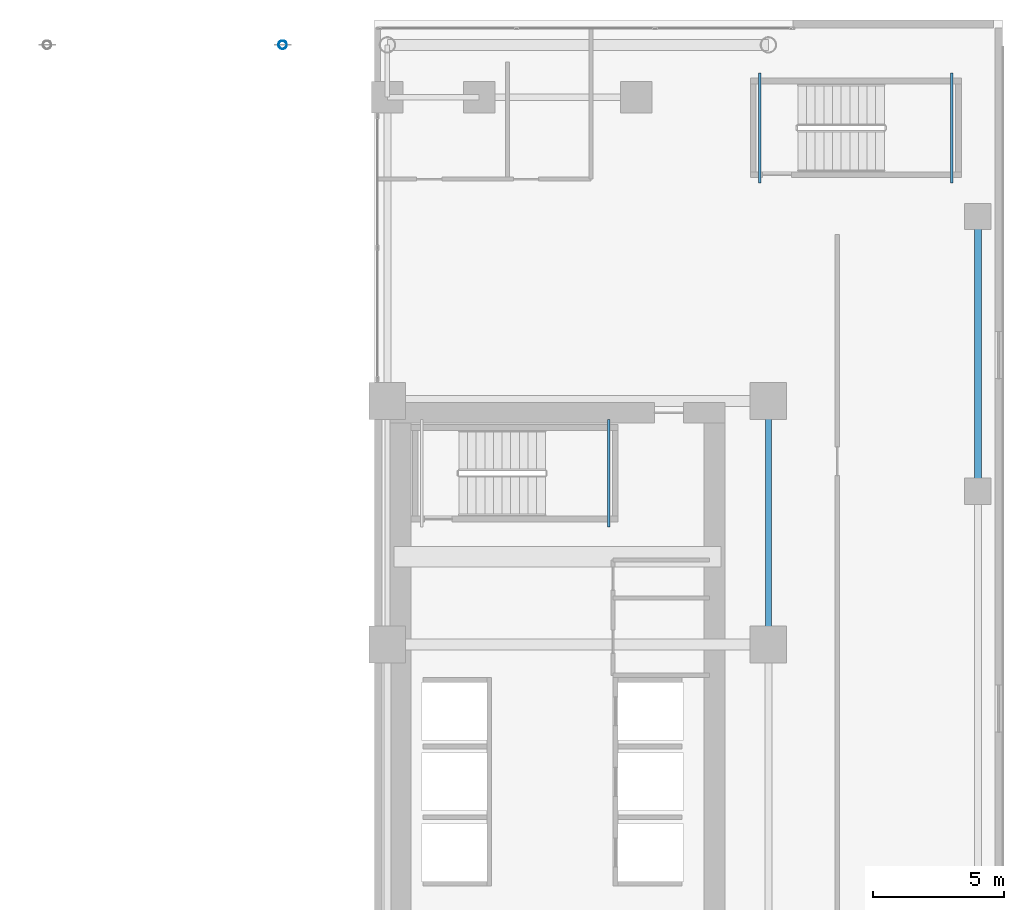
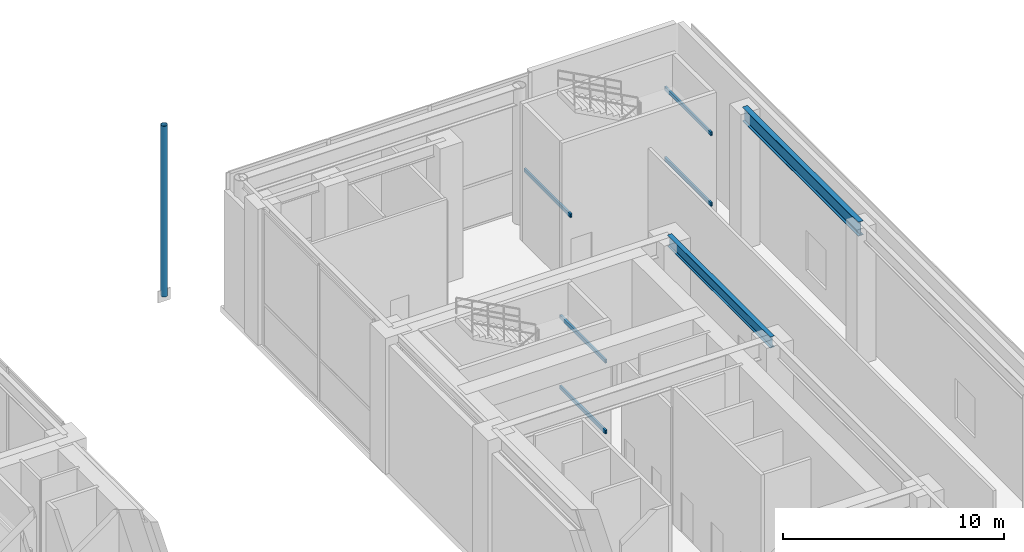
# One storey, part 16 of 29: 7 beams, 1 member.
"""IFC4 building model written with IfcOpenShell, lengths in metres."""

from ifc_helpers import new_model, si_unit, direction, frame, origin, origin_2d, place, context, subcontext, project, spatial, hollow_rectangle, hollow_circle, i_section, extrude, source, transform, mapped, material, material_profile, profile_set, type_object, element, save


model = new_model("IFC4")

# Units and contexts
model_context = context("Model", 3, precision=1e-05, world=origin(), true_north=direction((0.0, 1.0)))
body_context = subcontext(model_context, "Body", "Model", "MODEL_VIEW")
ifc_project = project(units=[si_unit("LENGTHUNIT", "METRE"), si_unit("AREAUNIT", "SQUARE_METRE"), si_unit("VOLUMEUNIT", "CUBIC_METRE"), si_unit("PLANEANGLEUNIT", "RADIAN"), si_unit("MASSUNIT", "GRAM", prefix="KILO")], contexts=[model_context])

# Site, building, storey
site_placement = place(None, origin())
site = spatial("IfcSite", under=ifc_project, at=site_placement, CompositionType="ELEMENT")
building_placement = place(site_placement, origin())
building = spatial("IfcBuilding", under=site, at=building_placement, Name="Ocotamira Hotel", CompositionType="ELEMENT")
storey_placement = place(building_placement, frame((0.0, 0.0, 11.39990234375)))
storey = spatial("IfcBuildingStorey", under=building, at=storey_placement, Name="L03", CompositionType="ELEMENT", Elevation=11.39990234375)

# Beams
ifc_material_1 = material(Name="Steel ASTM A500 Grade C", Category="steel")
ifc_material_profile_1 = material_profile(ifc_material_1, hollow_rectangle(XDim=0.10009765625, YDim=0.199951171875, WallThickness=0.008056640625, at=origin_2d()), Name="HSS200X100X8")
ifc_profile_set_1 = profile_set([ifc_material_profile_1], Name="Steel ASTM A500 Grade C")
beam_type_1 = type_object("IfcBeamType", Name="BM-STLDG-HSS200", PredefinedType="BEAM", material=ifc_profile_set_1)
shared_shape_1 = source(origin(), body_context, "Body", "SweptSolid", [
    extrude(hollow_rectangle(XDim=0.10009765625, YDim=0.199951171875, WallThickness=0.008056640625, at=origin_2d()), origin(), (0.0, 0.0, 1.0), 4.1201171875),
])
for number, where, z_axis, x_axis, name in (
    (1, (48.949951171875, 32.6298828125, 1.650146484375), (0.0, 1.0, 0.0), (-1.0, 0.0, 0.0), "L03 Stair ST-4 Landing Bearer 1"),
    (2, (48.949951171875, 32.6298828125, 5.550048828125), (0.0, 1.0, 0.0), (-1.0, 0.0, 0.0), "L03 Stair ST-4 Landing Bearer 3"),
):
    element("IfcBeam", number, at=place(storey_placement, frame(where, z_axis=z_axis, x_axis=x_axis)), inside=storey, type_object=beam_type_1, Name=name, PredefinedType="BEAM", context=body_context, shape_type="MappedRepresentation", body=[
        mapped(shared_shape_1, transform((0.0, 0.0, 0.0), scale=1.0)),
    ])
shared_shape_2 = source(origin(), body_context, "Body", "SweptSolid", [
    extrude(hollow_rectangle(XDim=0.10009765625, YDim=0.199951171875, WallThickness=0.008056640625, at=origin_2d()), origin(), (0.0, 0.0, 1.0), 4.199951171875),
])
for number, where, z_axis, x_axis, name in (
    (3, (62.06005859375, 45.780029296875, 1.650146484375), (0.0, 1.0, 0.0), (-1.0, 0.0, 0.0), "L03 Stair ST-6 Landing Bearer 1"),
    (4, (54.719970703125, 45.780029296875, 3.60009765625), (0.0, 1.0, 0.0), (-1.0, 0.0, 0.0), "L03 Stair ST-6 Landing Bearer 2"),
    (5, (62.06005859375, 45.780029296875, 5.550048828125), (0.0, 1.0, 0.0), (-1.0, 0.0, 0.0), "L03 Stair ST-6 Landing Bearer 3"),
):
    element("IfcBeam", number, at=place(storey_placement, frame(where, z_axis=z_axis, x_axis=x_axis)), inside=storey, type_object=beam_type_1, Name=name, PredefinedType="BEAM", context=body_context, shape_type="MappedRepresentation", body=[
        mapped(shared_shape_2, transform((0.0, 0.0, 0.0), scale=1.0)),
    ])
ifc_material_2 = material(Name="Steel ASTM A992 Grade 50", Category="steel")
ifc_material_profile_2 = material_profile(ifc_material_2, i_section(OverallWidth=0.26611328125, OverallDepth=0.779052734375, WebThickness=0.0166015625, FlangeThickness=0.030029296875, FilletRadius=0.01806640625, at=origin_2d()), Name="W30X148")
ifc_profile_set_2 = profile_set([ifc_material_profile_2], Name="Steel ASTM A992 Grade 50")
beam_type_2 = type_object("IfcBeamType", Name="BM-GIRD-W30X148", PredefinedType="BEAM", material=ifc_profile_set_2)
shared_shape_3 = source(origin(), body_context, "Body", "SweptSolid", [
    extrude(i_section(OverallWidth=0.26611328125, OverallDepth=0.779052734375, WebThickness=0.0166015625, FlangeThickness=0.030029296875, FilletRadius=0.01806640625, at=origin_2d()), origin(), (0.0, 0.0, 1.0), 10.5),
])
beam_1_placement = place(storey_placement, frame((63.050048828125, 34.0, 7.12060546875), z_axis=(0.0, 1.0, 0.0), x_axis=(-1.0, 0.0, 0.0)))
element("IfcBeam", 6, at=beam_1_placement, inside=storey, type_object=beam_type_2, Name="L03 Beam X63.05 Y34-44.5", PredefinedType="BEAM", context=body_context, shape_type="MappedRepresentation", body=[
    mapped(shared_shape_3, transform((0.0, 0.0, 0.0), scale=1.0)),
])
ifc_material_profile_3 = material_profile(ifc_material_2, i_section(OverallWidth=0.22998046875, OverallDepth=0.616943359375, WebThickness=0.01318359375, FlangeThickness=0.022216796875, FilletRadius=0.012939453125, at=origin_2d()), Name="W24X94")
ifc_profile_set_3 = profile_set([ifc_material_profile_3], Name="Steel ASTM A992 Grade 50")
beam_type_3 = type_object("IfcBeamType", Name="BM-PRIM-W24X94", PredefinedType="BEAM", material=ifc_profile_set_3)
shared_shape_4 = source(origin(), body_context, "Body", "SweptSolid", [
    extrude(i_section(OverallWidth=0.22998046875, OverallDepth=0.616943359375, WebThickness=0.01318359375, FlangeThickness=0.022216796875, FilletRadius=0.012939453125, at=origin_2d()), origin(), (0.0, 0.0, 1.0), 9.300048828125),
])
beam_2_placement = place(storey_placement, frame((55.050048828125, 28.14990234375, 7.20166015625), z_axis=(0.0, 1.0, 0.0), x_axis=(-1.0, 0.0, 0.0)))
element("IfcBeam", 7, at=beam_2_placement, inside=storey, type_object=beam_type_3, Name="L03 Beam X55.05 Y28.15-37.45", PredefinedType="BEAM", context=body_context, shape_type="MappedRepresentation", body=[
    mapped(shared_shape_4, transform((0.0, 0.0, 0.0), scale=1.0)),
])

# Member
ifc_material_profile_4 = material_profile(ifc_material_1, hollow_circle(Radius=0.162109375, WallThickness=0.011962890625, at=origin_2d()), Name="CHS324X12")
ifc_profile_set_4 = profile_set([ifc_material_profile_4], Name="Steel ASTM A500 Grade C")
member_type = type_object("IfcMemberType", Name="MEM-STRUT-CHS324", PredefinedType="STRUT", material=ifc_profile_set_4)
shared_shape_5 = source(origin(), body_context, "Body", "SweptSolid", [
    extrude(hollow_circle(Radius=0.162109375, WallThickness=0.011962890625, at=origin_2d()), origin(), (0.0, 0.0, 1.0), 9.429931640625),
])
member_placement = place(storey_placement, frame((36.5, 51.050048828125, 2.400146484375), z_axis=(0.0, 0.0, 1.0), x_axis=(1.0, 0.0, 0.0)))
element("IfcMember", 8, at=member_placement, inside=storey, type_object=member_type, Name="Portal Arch Spandrel Strut N2", PredefinedType="STRUT", context=body_context, shape_type="MappedRepresentation", body=[
    mapped(shared_shape_5, transform((0.0, 0.0, 0.0), scale=1.0)),
])

save(model, "model.ifc")
